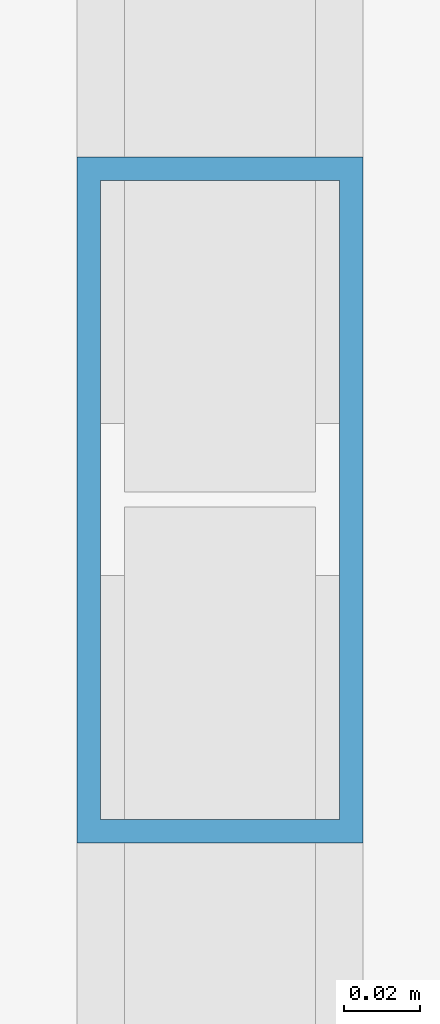
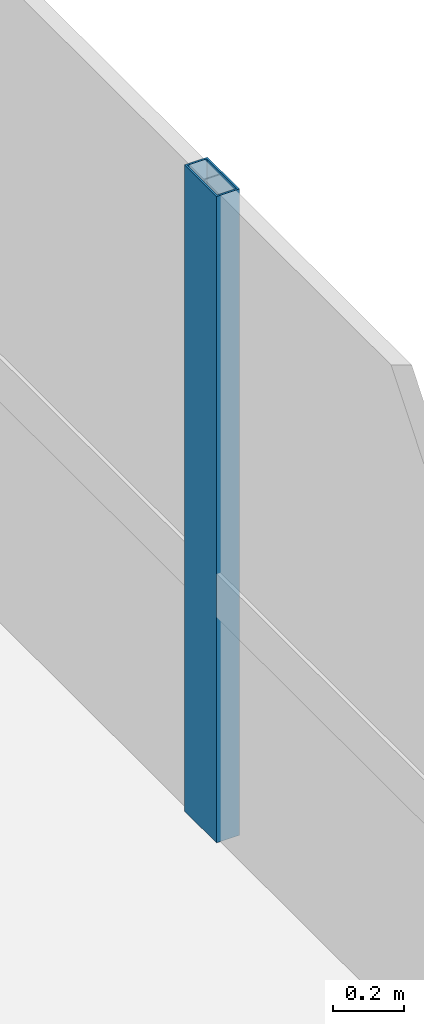
# One storey, part 19 of 42: 1 member, 1 element without a shape of its own.
"""IFC4 building model written with IfcOpenShell, lengths in metres."""

from ifc_helpers import new_model, si_unit, direction, frame, origin, origin_2d, place, context, subcontext, project, spatial, hollow_rectangle, extrude, material, material_profile, profile_set, type_object, element, aggregate, save


model = new_model("IFC4")

# Units and contexts
model_context = context("Model", 3, precision=1e-05, world=origin(), true_north=direction((0.0, 1.0)))
body_context = subcontext(model_context, "Body", "Model", "MODEL_VIEW")
ifc_project = project(units=[si_unit("LENGTHUNIT", "METRE"), si_unit("AREAUNIT", "SQUARE_METRE"), si_unit("VOLUMEUNIT", "CUBIC_METRE"), si_unit("PLANEANGLEUNIT", "RADIAN"), si_unit("MASSUNIT", "GRAM", prefix="KILO")], contexts=[model_context])

# Site, building, storey
site_placement = place(None, origin())
site = spatial("IfcSite", under=ifc_project, at=site_placement, CompositionType="ELEMENT")
building_placement = place(site_placement, origin())
building = spatial("IfcBuilding", under=site, at=building_placement, Name="Thornwick Lancets Civic Towers", CompositionType="ELEMENT")
storey_placement = place(building_placement, frame((0.0, 0.0, 286.800048828125)))
storey = spatial("IfcBuildingStorey", under=building, at=storey_placement, Name="C03", CompositionType="ELEMENT", Elevation=286.800048828125)

# Curtain wall, member
ifc_material_1 = material(Name="Crown ring acoustic-louvre and glazing screen wall", Category="glass")
curtain_wall_type = type_object("IfcCurtainWallType", Name="CW_SYS_07", PredefinedType="NOTDEFINED", material=ifc_material_1)
curtain_wall_placement = place(storey_placement, origin())
curtain_wall = element("IfcCurtainWall", 1, at=curtain_wall_placement, inside=storey, type_object=curtain_wall_type, Name="C03 Curtain Wall CW-C03-A-E2", PredefinedType="NOTDEFINED")
ifc_material_2 = material(Name="Thermally broken bronze aluminium S355", Category="steel")
ifc_material_profile = material_profile(ifc_material_2, hollow_rectangle(XDim=0.074951171875, YDim=0.179931640625, WallThickness=0.006103515625, at=origin_2d()), Name="RHS 180x75x6")
ifc_profile_set = profile_set([ifc_material_profile], Name="Thermally broken bronze aluminium S355")
member_type = type_object("IfcMemberType", Name="CW_MUL_180", PredefinedType="MULLION", material=ifc_profile_set)
member_placement = place(storey_placement, frame((49.2646484375, 30.03369140625, 0.0), z_axis=(0.0, 0.0, 1.0), x_axis=(1.0, 0.0, 0.0)))
member = element("IfcMember", 2, at=member_placement, type_object=member_type, Name="CW-C03-A-E2 Mullion 2", PredefinedType="MULLION", context=body_context, shape_type="SweptSolid", body=[
    extrude(hollow_rectangle(XDim=0.074951171875, YDim=0.179931640625, WallThickness=0.006103515625, at=origin_2d()), origin(), (0.0, 0.0, 1.0), 2.219970703125),
])
aggregate(curtain_wall, [member])

save(model, "model.ifc")
